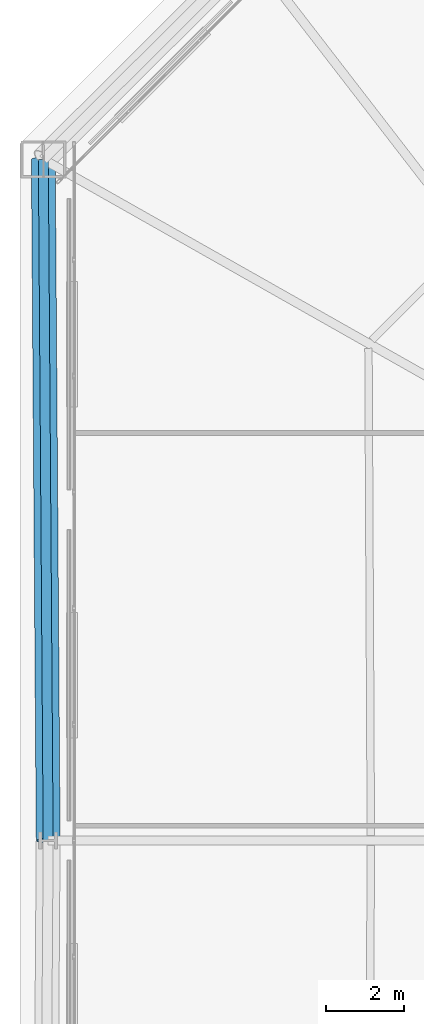
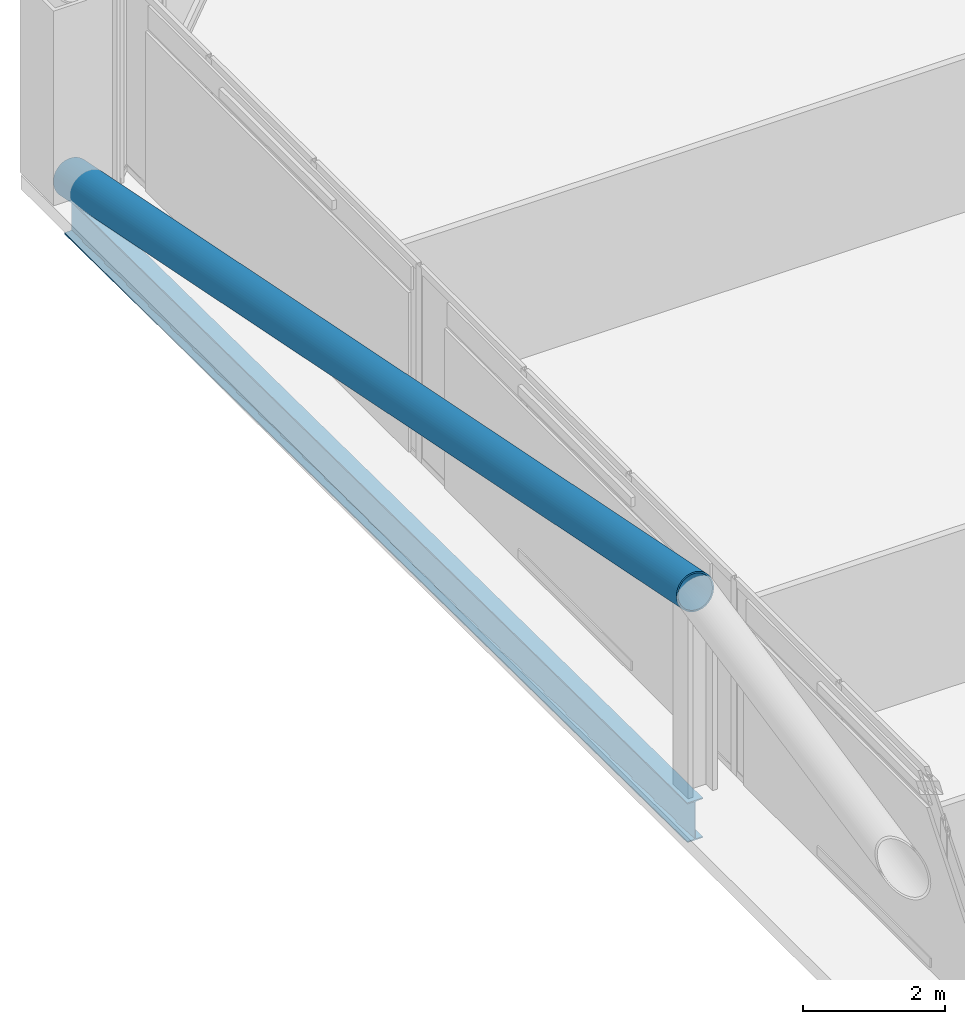
# One storey, part 16 of 50: 1 beam, 1 member.
"""IFC4 building model written with IfcOpenShell, lengths in metres."""

from ifc_helpers import new_model, si_unit, direction, frame, origin, origin_2d, place, context, subcontext, project, spatial, hollow_circle, i_section, extrude, material, material_profile, profile_set, type_object, element, save


model = new_model("IFC4")

# Units and contexts
model_context = context("Model", 3, precision=1e-05, world=origin(), true_north=direction((0.0, 1.0)))
body_context = subcontext(model_context, "Body", "Model", "MODEL_VIEW")
ifc_project = project(units=[si_unit("LENGTHUNIT", "METRE"), si_unit("AREAUNIT", "SQUARE_METRE"), si_unit("VOLUMEUNIT", "CUBIC_METRE"), si_unit("PLANEANGLEUNIT", "RADIAN"), si_unit("MASSUNIT", "GRAM", prefix="KILO")], contexts=[model_context])

# Site, building, storey
site_placement = place(None, origin())
site = spatial("IfcSite", under=ifc_project, at=site_placement, CompositionType="ELEMENT")
building_placement = place(site_placement, origin())
building = spatial("IfcBuilding", under=site, at=building_placement, Name="Caelvoria Tower", CompositionType="ELEMENT")
storey_placement = place(building_placement, frame((0.0, 0.0, 71.199951171875)))
storey = spatial("IfcBuildingStorey", under=building, at=storey_placement, Name="L18", CompositionType="ELEMENT", Elevation=71.199951171875)

# Member
ifc_material_1 = material(Name="Structural Steel ASTM A572 Gr.50", Category="steel")
ifc_material_profile_1 = material_profile(ifc_material_1, hollow_circle(Radius=0.304931640625, WallThickness=0.02490234375, at=origin_2d()), Name="Structural Steel ASTM A572 Gr.50")
ifc_profile_set_1 = profile_set([ifc_material_profile_1], Name="CHS610X25 - Structural Steel ASTM A572 Gr.50")
member_type = type_object("IfcMemberType", Name="Lower Perimeter Mega Brace CHS610X25", PredefinedType="BRACE", material=ifc_profile_set_1)
member_placement = place(storey_placement, frame((20.3955078125, 49.3955078125, 0.0), z_axis=(0.007027615414, -0.981826771495, 0.189649158705), x_axis=(0.999974384694, 0.007157510473, 0.0)))
element("IfcMember", 1, at=member_placement, inside=storey, type_object=member_type, Name="Perimeter Cardinal Mega Brace L18 WA", PredefinedType="BRACE", context=body_context, shape_type="SweptSolid", body=[
    extrude(hollow_circle(Radius=0.304931640625, WallThickness=0.02490234375, at=origin_2d()), origin(), (0.0, 0.0, 1.0), 17.717529296875),
])

# Beam
ifc_material_2 = material(Name="Structural Steel ASTM A992 Gr.50", Category="steel")
ifc_material_profile_2 = material_profile(ifc_material_2, i_section(OverallWidth=0.25390625, OverallDepth=0.68798828125, WebThickness=0.01318359375, FlangeThickness=0.02099609375, FilletRadius=0.01904296875, at=origin_2d()), Name="Structural Steel ASTM A992 Gr.50")
ifc_profile_set_2 = profile_set([ifc_material_profile_2], Name="W690X152 - Structural Steel ASTM A992 Gr.50")
beam_type = type_object("IfcBeamType", Name="Perimeter Spandrel Girder W690X152", PredefinedType="BEAM", material=ifc_profile_set_2)
beam_placement = place(storey_placement, frame((20.3955078125, 49.3955078125, -0.583984375), z_axis=(0.007157510473, -0.999974384694, 0.0), x_axis=(0.999974384694, 0.007157510473, 0.0)))
element("IfcBeam", 2, at=beam_placement, inside=storey, type_object=beam_type, Name="Perimeter Spandrel Girder L18-09", PredefinedType="BEAM", context=body_context, shape_type="SweptSolid", body=[
    extrude(i_section(OverallWidth=0.25390625, OverallDepth=0.68798828125, WebThickness=0.01318359375, FlangeThickness=0.02099609375, FilletRadius=0.01904296875, at=origin_2d()), origin(), (0.0, 0.0, 1.0), 17.39599609375),
])

save(model, "model.ifc")
